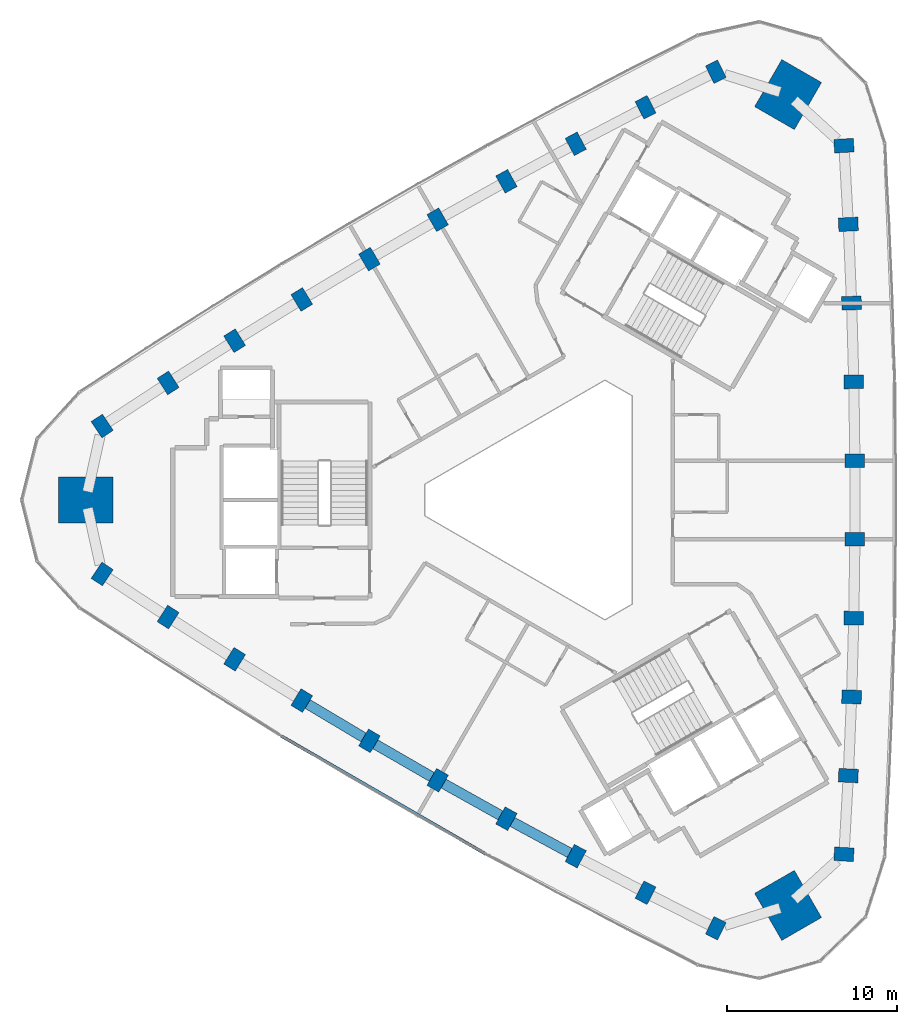
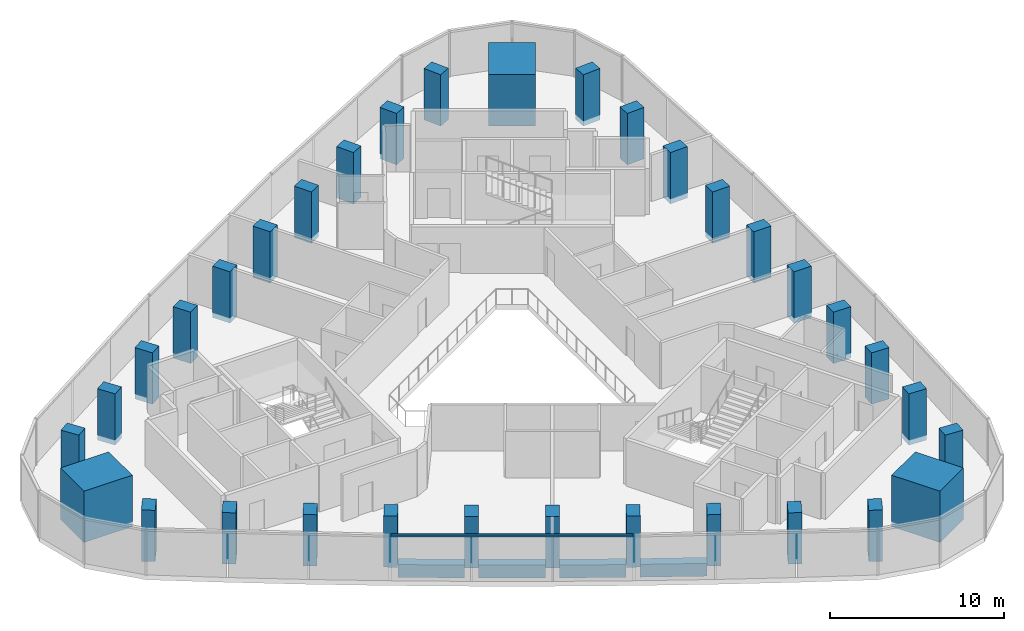
# One storey, part 1 of 11: 33 columns, 4 beams, 1 member, 1 element without a shape of its own.
"""IFC4 building model written with IfcOpenShell, lengths in metres."""

from ifc_helpers import new_model, si_unit, direction, frame, origin, origin_2d, place, context, subcontext, project, spatial, rectangle, extrude, material, material_profile, profile_set, type_object, element, aggregate, save


model = new_model("IFC4")

# Units and contexts
model_context = context("Model", 3, precision=1e-05, world=origin(), true_north=direction((0.0, 1.0)))
body_context = subcontext(model_context, "Body", "Model", "MODEL_VIEW")
ifc_project = project(units=[si_unit("LENGTHUNIT", "METRE"), si_unit("AREAUNIT", "SQUARE_METRE"), si_unit("VOLUMEUNIT", "CUBIC_METRE"), si_unit("PLANEANGLEUNIT", "RADIAN"), si_unit("MASSUNIT", "GRAM", prefix="KILO")], contexts=[model_context])

# Site, building, storey
site_placement = place(None, origin())
site = spatial("IfcSite", under=ifc_project, at=site_placement, CompositionType="ELEMENT")
building_placement = place(site_placement, origin())
building = spatial("IfcBuilding", under=site, at=building_placement, Name="Tamra Quay Hotel Tower", CompositionType="ELEMENT")
storey_placement = place(building_placement, frame((0.0, 0.0, 190.0)))
storey = spatial("IfcBuildingStorey", under=building, at=storey_placement, Name="L47", CompositionType="ELEMENT", Elevation=190.0)

# Columns
ifc_material_1 = material(Name="Concrete M70", Category="concrete")
ifc_material_profile_1 = material_profile(ifc_material_1, rectangle(XDim=1.14990234375, YDim=0.800048828125, at=origin_2d()), Name="COLUMN RC 800x1150 Z4")
ifc_profile_set_1 = profile_set([ifc_material_profile_1], Name="Concrete M70")
column_type_1 = type_object("IfcColumnType", Name="COLUMN RC 800x1150 Z4", PredefinedType="COLUMN", material=ifc_profile_set_1)
for number, where, z_axis, x_axis, name in (
    (1, (17.069580078125, -20.856201171875, -0.35009765625), (0.0, 0.0, 1.0), (-0.998081035395, 0.061921295089, 0.0), "COL-C4E01-L47"),
    (2, (17.326416015625, -16.2255859375, -0.35009765625), (0.0, 0.0, 1.0), (-0.998830734492, 0.048344222345, 0.0), "COL-C4E02-L47"),
    (3, (17.519287109375, -11.592041015625, -0.35009765625), (0.0, 0.0, 1.0), (-0.999411600314, 0.034299462929, 0.0), "COL-C4E03-L47"),
    (4, (17.648193359375, -6.955810546875, -0.35009765625), (0.0, 0.0, 1.0), (-0.99977704996, 0.021115169271, 0.0), "COL-C4E04-L47"),
    (5, (17.71240234375, -2.318603515625, -0.35009765625), (0.0, 0.0, 1.0), (-0.999975214668, 0.007040600034, 0.0), "COL-C4E05-L47"),
    (6, (17.71240234375, 2.318603515625, -0.35009765625), (0.0, 0.0, 1.0), (0.999975214668, 0.007040600034, 0.0), "COL-C4E06-L47"),
    (7, (17.648193359375, 6.955810546875, -0.35009765625), (0.0, 0.0, 1.0), (0.99977704996, 0.021115169271, 0.0), "COL-C4E07-L47"),
    (8, (17.519287109375, 11.592041015625, -0.35009765625), (0.0, 0.0, 1.0), (0.999411600314, 0.034299462929, 0.0), "COL-C4E08-L47"),
    (9, (17.326416015625, 16.2255859375, -0.35009765625), (0.0, 0.0, 1.0), (0.998830734492, 0.048344222345, 0.0), "COL-C4E09-L47"),
    (10, (17.069580078125, 20.856201171875, -0.35009765625), (0.0, 0.0, 1.0), (0.998081035395, 0.061921295089, 0.0), "COL-C4E10-L47"),
    (11, (9.527099609375, 25.210693359375, -0.35009765625), (0.0, 0.0, 1.0), (-0.445415103115, 0.895324179232, 0.0), "COL-C4NW01-L47"),
    (12, (5.388427734375, 23.117919921875, -0.35009765625), (0.0, 0.0, 1.0), (-0.457548042569, 0.889184901323, 0.0), "COL-C4NW02-L47"),
    (13, (1.279296875, 20.96826171875, -0.35009765625), (0.0, 0.0, 1.0), (-0.470001593924, 0.882665566174, 0.0), "COL-C4NW03-L47"),
    (14, (-2.80029296875, 18.76171875, -0.35009765625), (0.0, 0.0, 1.0), (-0.481602251986, 0.876389908021, 0.0), "COL-C4NW04-L47"),
    (15, (-6.84814453125, 16.498779296875, -0.35009765625), (0.0, 0.0, 1.0), (-0.493890268847, 0.869524239075, 0.0), "COL-C4NW05-L47"),
    (16, (-10.8642578125, 14.18017578125, -0.35009765625), (0.0, 0.0, 1.0), (-0.506084945822, 0.862483639041, 0.0), "COL-C4NW06-L47"),
    (17, (-14.847900390625, 11.805908203125, -0.35009765625), (0.0, 0.0, 1.0), (-0.518174797974, 0.855274738751, 0.0), "COL-C4NW07-L47"),
    (18, (-18.798583984375, 9.376220703125, -0.35009765625), (0.0, 0.0, 1.0), (-0.52941000639, 0.848366103245, 0.0), "COL-C4NW08-L47"),
    (19, (-22.71484375, 6.892333984375, -0.35009765625), (0.0, 0.0, 1.0), (-0.541282691923, 0.840840678978, 0.0), "COL-C4NW09-L47"),
    (20, (-26.5966796875, 4.3544921875, -0.35009765625), (0.0, 0.0, 1.0), (-0.55266593228, 0.833402884143, 0.0), "COL-C4NW10-L47"),
    (21, (-26.5966796875, -4.3544921875, -0.35009765625), (0.0, 0.0, 1.0), (0.55266593228, 0.833402884143, 0.0), "COL-C4SW01-L47"),
    (22, (-22.71484375, -6.892333984375, -0.35009765625), (0.0, 0.0, 1.0), (0.541282691923, 0.840840678978, 0.0), "COL-C4SW02-L47"),
    (23, (-18.798583984375, -9.376220703125, -0.35009765625), (0.0, 0.0, 1.0), (0.52941000639, 0.848366103245, 0.0), "COL-C4SW03-L47"),
    (24, (-14.847900390625, -11.805908203125, -0.35009765625), (0.0, 0.0, 1.0), (0.518174797974, 0.855274738751, 0.0), "COL-C4SW04-L47"),
    (25, (-10.8642578125, -14.18017578125, -0.35009765625), (0.0, 0.0, 1.0), (0.506084945822, 0.862483639041, 0.0), "COL-C4SW05-L47"),
    (26, (-6.84814453125, -16.498779296875, -0.35009765625), (0.0, 0.0, 1.0), (0.493890268847, 0.869524239075, 0.0), "COL-C4SW06-L47"),
    (27, (-2.80029296875, -18.76171875, -0.35009765625), (0.0, 0.0, 1.0), (0.481602251986, 0.876389908021, 0.0), "COL-C4SW07-L47"),
    (28, (1.279296875, -20.96826171875, -0.35009765625), (0.0, 0.0, 1.0), (0.470001593924, 0.882665566174, 0.0), "COL-C4SW08-L47"),
    (29, (5.388427734375, -23.117919921875, -0.35009765625), (0.0, 0.0, 1.0), (0.457548042569, 0.889184901323, 0.0), "COL-C4SW09-L47"),
    (30, (9.527099609375, -25.210693359375, -0.35009765625), (0.0, 0.0, 1.0), (0.445415103115, 0.895324179232, 0.0), "COL-C4SW10-L47"),
):
    element("IfcColumn", number, at=place(storey_placement, frame(where, z_axis=z_axis, x_axis=x_axis)), inside=storey, type_object=column_type_1, Name=name, PredefinedType="COLUMN", context=body_context, shape_type="SweptSolid", body=[
        extrude(rectangle(XDim=1.14990234375, YDim=0.800048828125, at=origin_2d()), origin(), (0.0, 0.0, 1.0), 3.60009765625),
    ])
ifc_material_profile_2 = material_profile(ifc_material_1, rectangle(XDim=3.199951171875, YDim=2.699951171875, at=origin_2d()), Name="MEGA COLUMN RC 2700x3200 Z4")
ifc_profile_set_2 = profile_set([ifc_material_profile_2], Name="Concrete M70")
column_type_2 = type_object("IfcColumnType", Name="MEGA COLUMN RC 2700x3200 Z4", PredefinedType="COLUMN", material=ifc_profile_set_2)
for number, where, z_axis, x_axis, name in (
    (31, (13.779541015625, 23.86669921875, -0.35009765625), (0.0, 0.0, 1.0), (0.5, 0.866025403784, 0.0), "COL-M4NE-L47"),
    (32, (-27.55908203125, 0.0, -0.35009765625), (0.0, 0.0, 1.0), (1.0, 0.0, 0.0), "COL-M4W-L47"),
    (33, (13.779541015625, -23.86669921875, -0.35009765625), (0.0, 0.0, 1.0), (-0.5, 0.866025403784, 0.0), "COL-M4SE-L47"),
):
    element("IfcColumn", number, at=place(storey_placement, frame(where, z_axis=z_axis, x_axis=x_axis)), inside=storey, type_object=column_type_2, Name=name, PredefinedType="COLUMN", context=body_context, shape_type="SweptSolid", body=[
        extrude(rectangle(XDim=3.199951171875, YDim=2.699951171875, at=origin_2d()), origin(), (0.0, 0.0, 1.0), 3.60009765625),
    ])

# Beams
ifc_material_2 = material(Name="Concrete M60", Category="concrete")
ifc_material_profile_3 = material_profile(ifc_material_2, rectangle(XDim=0.60009765625, YDim=0.89990234375, at=origin_2d()), Name="SPANDREL BEAM RC 600x900")
ifc_profile_set_3 = profile_set([ifc_material_profile_3], Name="Concrete M60")
beam_type = type_object("IfcBeamType", Name="SPANDREL BEAM RC 600x900", PredefinedType="SPANDREL", material=ifc_profile_set_3)
beam_1_placement = place(storey_placement, frame((-14.50439453125, -12.010498046875, -0.800048828125), z_axis=(0.858982487636, -0.512004966708, 0.0), x_axis=(0.512004966708, 0.858982487636, 0.0)))
element("IfcBeam", 34, at=beam_1_placement, inside=storey, type_object=beam_type, Name="BM-SP4-025-L47", PredefinedType="SPANDREL", context=body_context, shape_type="SweptSolid", body=[
    extrude(rectangle(XDim=0.60009765625, YDim=0.89990234375, at=origin_2d()), origin(), (0.0, 0.0, 1.0), 3.837646484375),
])
for number, where, z_axis, x_axis, name in (
    (35, (-10.517822265625, -14.380126953125, -0.800048828125), (0.866022424722, -0.500005159851, 0.0), (0.500005159851, 0.866022424722, 0.0), "BM-SP4-026-L47"),
    (36, (-6.4990234375, -16.694091796875, -0.800048828125), (0.872890885292, -0.487915466422, 0.0), (0.487915466422, 0.872890885292, 0.0), "BM-SP4-027-L47"),
):
    element("IfcBeam", number, at=place(storey_placement, frame(where, z_axis=z_axis, x_axis=x_axis)), inside=storey, type_object=beam_type, Name=name, PredefinedType="SPANDREL", context=body_context, shape_type="SweptSolid", body=[
        extrude(rectangle(XDim=0.60009765625, YDim=0.89990234375, at=origin_2d()), origin(), (0.0, 0.0, 1.0), 3.83740234375),
    ])
beam_2_placement = place(storey_placement, frame((-2.448486328125, -18.951904296875, -0.800048828125), z_axis=(0.879589264525, -0.475733881211, 0.0), x_axis=(0.475733881211, 0.879589264525, 0.0)))
element("IfcBeam", 37, at=beam_2_placement, inside=storey, type_object=beam_type, Name="BM-SP4-028-L47", PredefinedType="SPANDREL", context=body_context, shape_type="SweptSolid", body=[
    extrude(rectangle(XDim=0.60009765625, YDim=0.89990234375, at=origin_2d()), origin(), (0.0, 0.0, 1.0), 3.838134765625),
])

# Curtain wall, member
ifc_material_3 = material(Name="Aluminium 6063 anodised dark grey", Category="aluminium")
curtain_wall_type = type_object("IfcCurtainWallType", Name="CW3 CURTAIN WALL", PredefinedType="NOTDEFINED", material=ifc_material_3)
curtain_wall_placement = place(storey_placement, origin())
curtain_wall = element("IfcCurtainWall", 38, at=curtain_wall_placement, inside=storey, type_object=curtain_wall_type, Name="CW3 south-west face L47", PredefinedType="NOTDEFINED")
ifc_material_profile_4 = material_profile(ifc_material_3, rectangle(XDim=0.179931640625, YDim=0.139892578125, at=origin_2d()), Name="TRANSOM 180X140")
ifc_profile_set_4 = profile_set([ifc_material_profile_4], Name="Aluminium 6063 anodised dark grey")
member_type = type_object("IfcMemberType", Name="TRANSOM CW3 Z4", PredefinedType="USERDEFINED", material=ifc_profile_set_4)
member_placement = place(storey_placement, frame((-16.05419921875, -13.893310546875, 3.179931640625), z_axis=(0.866021948021, -0.50000598551, 0.0), x_axis=(0.50000598551, 0.866021948021, 0.0)))
member = element("IfcMember", 39, at=member_placement, type_object=member_type, Name="CW3 transom L47.SW.4", ObjectType="TRANSOM", PredefinedType="USERDEFINED", context=body_context, shape_type="SweptSolid", body=[
    extrude(rectangle(XDim=0.179931640625, YDim=0.139892578125, at=origin_2d()), origin(), (0.0, 0.0, 1.0), 13.913330078125),
])
aggregate(curtain_wall, [member])

save(model, "model.ifc")
